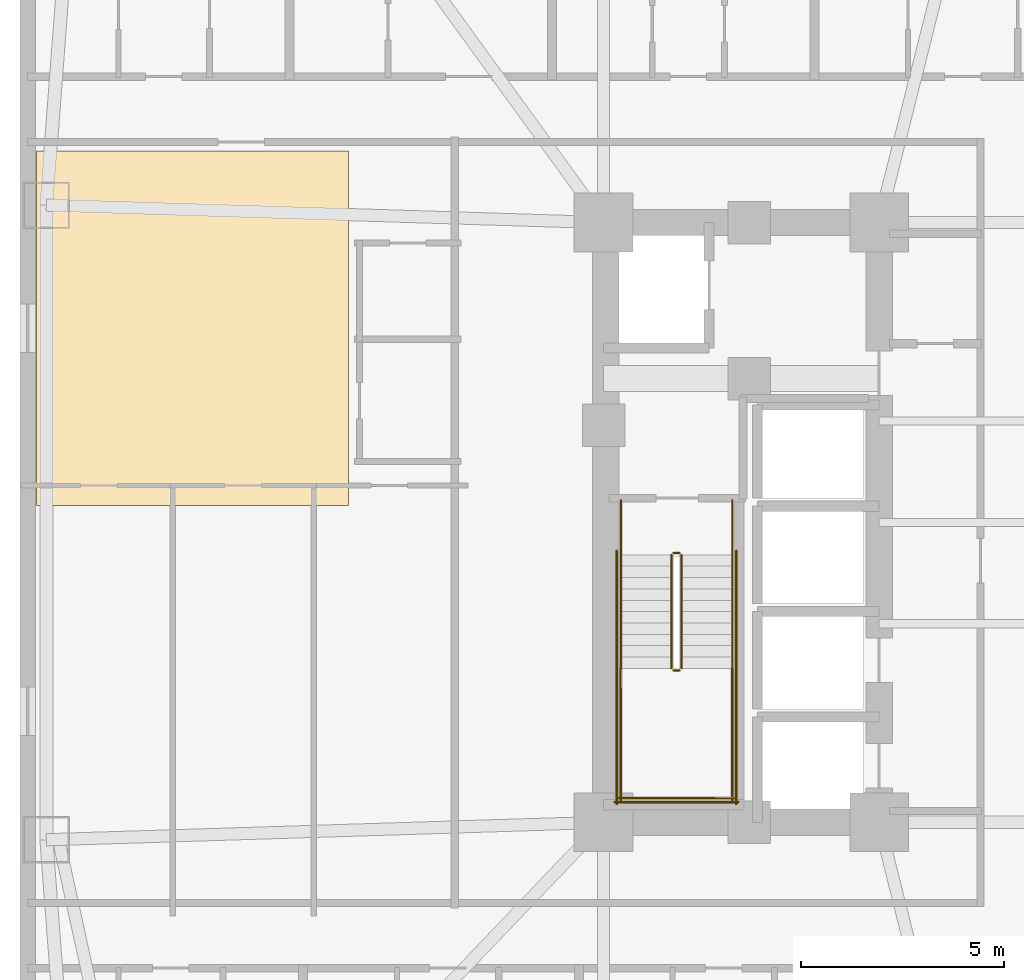
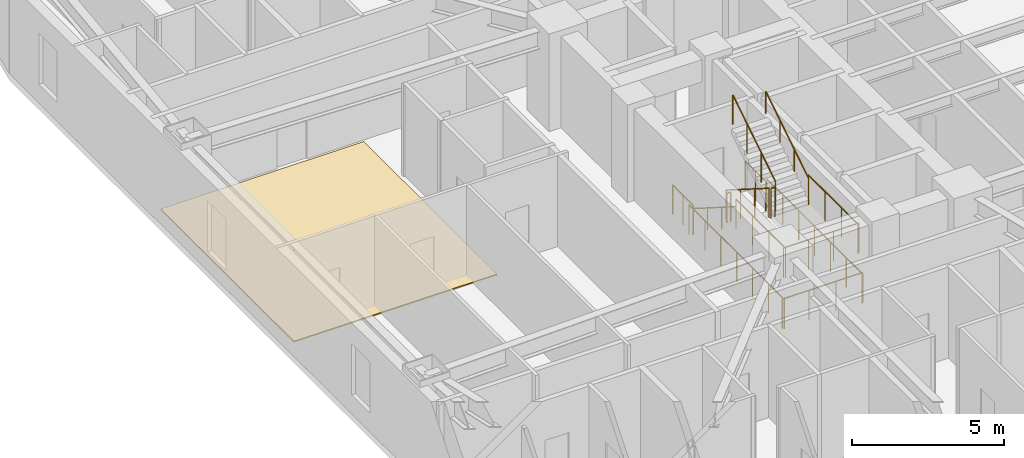
# One storey, part 11 of 12: 14 railings, 1 covering.
"""IFC4 building model written with IfcOpenShell, lengths in metres."""

import ifcopenshell
import ifcopenshell.guid

model = None  # the IFC model being written
_history = None  # IfcOwnerHistory: only IFC2X3 demands one
_inside = {}  # id of a spatial element -> (the spatial element, [elements in it])
_under = {}  # id of a project, library or spatial element -> (it, [spatial elements below it])
_declared = {}  # id of a project -> (the project, [libraries it declares])
_typed = {}  # id of a type object -> (the type object, [elements of that type])
_made_of = {}  # id of a material, layer set ... -> (it, [elements and type objects made of it])


def new_model(schema):
    """Start an empty IFC model of exactly this schema.

    Asked for "IFC4X3", IfcOpenShell would pick the latest addendum, in which some entities
    have other attributes; the version numbers below select the first issue.
    IFC2X3 requires an IfcOwnerHistory on every rooted entity: one is made here for all.
    """
    global model, _history
    if schema == "IFC4X3":
        model = ifcopenshell.file(schema_version=(4, 3, 0, 0))
    else:
        model = ifcopenshell.file(schema=schema)
    _inside.clear()
    _under.clear()
    _declared.clear()
    _typed.clear()
    _made_of.clear()
    _history = None
    if model.schema == "IFC2X3":
        org = make("IfcOrganization", Name="unknown")
        user = make(
            "IfcPersonAndOrganization",
            ThePerson=make("IfcPerson", FamilyName="unknown"),
            TheOrganization=org,
        )
        app = make(
            "IfcApplication",
            ApplicationDeveloper=org,
            Version="unknown",
            ApplicationFullName="unknown",
            ApplicationIdentifier="unknown",
        )
        _history = make(
            "IfcOwnerHistory",
            OwningUser=user,
            OwningApplication=app,
            ChangeAction="ADDED",
            CreationDate=0,
        )
    return model


def make(cls, **values):
    """One entity of the class cls with the attributes given. An attribute that is None is left unset."""
    return model.create_entity(
        cls, **{name: value for name, value in values.items() if value is not None}
    )


def rooted(cls, **values):
    """An entity with a GlobalId (a new one), such as an element, a storey or a relation."""
    return make(cls, GlobalId=ifcopenshell.guid.new(), OwnerHistory=_history, **values)


def si_unit(unit_type, name, prefix=None):
    """IfcSIUnit, for example si_unit("LENGTHUNIT", "METRE", prefix="MILLI")."""
    return make("IfcSIUnit", UnitType=unit_type, Prefix=prefix, Name=name)


def assignment(units):
    """IfcUnitAssignment: the units of a project."""
    return None if units is None else make("IfcUnitAssignment", Units=units)


def point(xyz):
    """IfcCartesianPoint."""
    return None if xyz is None else make("IfcCartesianPoint", Coordinates=xyz)


def direction(xyz):
    """IfcDirection."""
    return None if xyz is None else make("IfcDirection", DirectionRatios=xyz)


def frame(location, z_axis=None, x_axis=None):
    """IfcAxis2Placement3D, a coordinate frame: its origin and axes. An axis left out is left unset."""
    return make(
        "IfcAxis2Placement3D",
        Location=point(location),
        Axis=direction(z_axis),
        RefDirection=direction(x_axis),
    )


def frame_2d(location, x_axis=None):
    """IfcAxis2Placement2D, a coordinate frame in the plane: its origin and x axis."""
    return make(
        "IfcAxis2Placement2D", Location=point(location), RefDirection=direction(x_axis)
    )


def origin():
    """The frame at (0, 0, 0) with its axes left unset."""
    return frame((0.0, 0.0, 0.0))


def origin_2d():
    """The frame at (0, 0) in the plane with its x axis left unset."""
    return frame_2d((0.0, 0.0))


def place(relative_to, where):
    """IfcLocalPlacement: puts the frame where relative to a parent placement (None: the world)."""
    return make(
        "IfcLocalPlacement", PlacementRelTo=relative_to, RelativePlacement=where
    )


def context(
    kind, dimensions, precision=None, world=None, true_north=None, identifier=None
):
    """IfcGeometricRepresentationContext, for example the 3D "Model" context."""
    return make(
        "IfcGeometricRepresentationContext",
        ContextIdentifier=identifier,
        ContextType=kind,
        CoordinateSpaceDimension=dimensions,
        Precision=precision,
        WorldCoordinateSystem=world,
        TrueNorth=true_north,
    )


def subcontext(parent, identifier, kind, view, scale=None):
    """IfcGeometricRepresentationSubContext, for example "Body" below "Model"."""
    return make(
        "IfcGeometricRepresentationSubContext",
        ContextIdentifier=identifier,
        ContextType=kind,
        ParentContext=parent,
        TargetScale=scale,
        TargetView=view,
    )


def project(units=None, contexts=None):
    """IfcProject with its units and contexts."""
    return rooted(
        "IfcProject",
        Name="project",
        RepresentationContexts=contexts,
        UnitsInContext=assignment(units),
    )


def spatial(cls, under=None, at=None, **own):
    """A site, building, storey or space (cls), placed at a placement, below another one or the project."""
    s = rooted(cls, ObjectPlacement=at, **own)
    if under is not None:
        _under.setdefault(under.id(), (under, []))[1].append(s)
    return s


def polyline(points):
    """IfcPolyline through the points."""
    return make("IfcPolyline", Points=[point(p) for p in points])


def profile(cls, at=None, kind="AREA", **sizes):
    """A parametric profile (cls). Its sizes go by their IFC names, for example OverallWidth=200.0."""
    return make(cls, ProfileType=kind, Position=at, **sizes)


def circle(**sizes):
    """IfcCircleProfileDef."""
    return profile("IfcCircleProfileDef", **sizes)


def outline(outer, holes=None, kind="AREA"):
    """IfcArbitraryClosedProfileDef: a profile drawn as a closed curve; with holes, ...WithVoids."""
    if holes is None:
        return make("IfcArbitraryClosedProfileDef", ProfileType=kind, OuterCurve=outer)
    return make(
        "IfcArbitraryProfileDefWithVoids",
        ProfileType=kind,
        OuterCurve=outer,
        InnerCurves=holes,
    )


def extrude(swept, where, along, depth):
    """IfcExtrudedAreaSolid: the profile swept, set in the frame where, extruded along a direction by depth."""
    return make(
        "IfcExtrudedAreaSolid",
        SweptArea=swept,
        Position=where,
        ExtrudedDirection=direction(along),
        Depth=depth,
    )


def shape(context_of_items, identifier, shape_type, items):
    """IfcShapeRepresentation: the items that make up one representation, for example the "Body"."""
    return make(
        "IfcShapeRepresentation",
        ContextOfItems=context_of_items,
        RepresentationIdentifier=identifier,
        RepresentationType=shape_type,
        Items=items,
    )


def material(Name=None, Category=None):
    """IfcMaterial."""
    return make("IfcMaterial", Name=Name, Category=Category)


def layer(
    of_material, thickness, ventilated=None, Name=None, Category=None, Priority=None
):
    """IfcMaterialLayer: one layer of a wall or slab, of a material (None: an air gap)."""
    return make(
        "IfcMaterialLayer",
        Material=of_material,
        LayerThickness=thickness,
        IsVentilated=ventilated,
        Name=Name,
        Category=Category,
        Priority=Priority,
    )


def layer_set(layers, Name=None):
    """IfcMaterialLayerSet."""
    return make("IfcMaterialLayerSet", MaterialLayers=layers, LayerSetName=Name)


def made_of(thing, what):
    """Note that an element or type object is made of a material, layer set ...; save() writes the relation."""
    if what is not None:
        _made_of.setdefault(what.id(), (what, []))[1].append(thing)
    return thing


def type_object(cls, material=None, **own):
    """A type object (cls), such as IfcWallType, which elements share."""
    return made_of(rooted(cls, **own), material)


def element(
    cls,
    number,
    at=None,
    inside=None,
    cuts=None,
    type_object=None,
    material=None,
    context=None,
    identifier="Body",
    shape_type=None,
    held_by="IfcProductDefinitionShape",
    body=None,
    shapes=None,
    **own,
):
    """One element of the class cls, such as IfcWall. Its Tag is "e" and its number.

    at: its placement. inside: the storey or other place that contains it. cuts: it is an
    opening in that element (IfcRelVoidsElement). A single representation is given by context,
    identifier, shape_type and body (its items); several are given by shapes. held_by: the class
    of the entity that holds the representations. save() writes the other relations.
    """
    e = rooted(cls, Tag="e%d" % number, ObjectPlacement=at, **own)
    if body is not None:
        shapes = [shape(context, identifier, shape_type, body)]
    if shapes is not None:
        e.Representation = make(held_by, Representations=shapes)
    if inside is not None:
        _inside.setdefault(inside.id(), (inside, []))[1].append(e)
    if cuts is not None:
        rooted(
            "IfcRelVoidsElement", RelatingBuildingElement=cuts, RelatedOpeningElement=e
        )
    if type_object is not None:
        _typed.setdefault(type_object.id(), (type_object, []))[1].append(e)
    return made_of(e, material)


def aggregate(whole, parts):
    """IfcRelAggregates: a whole, such as a stair, and the parts it consists of."""
    return rooted("IfcRelAggregates", RelatingObject=whole, RelatedObjects=parts)


def save(model, path):
    """Write the relations noted so far, then the file.

    IfcRelAggregates (storeys below a building ...), IfcRelContainedInSpatialStructure (elements
    in a storey), IfcRelDefinesByType, IfcRelAssociatesMaterial and IfcRelDeclares: one each for
    every whole, place, type object, material and project.
    """
    for whole, parts in _under.values():
        aggregate(whole, parts)
    for where, things in _inside.values():
        rooted(
            "IfcRelContainedInSpatialStructure",
            RelatedElements=things,
            RelatingStructure=where,
        )
    for kind, things in _typed.values():
        rooted("IfcRelDefinesByType", RelatedObjects=things, RelatingType=kind)
    for what, things in _made_of.values():
        rooted("IfcRelAssociatesMaterial", RelatedObjects=things, RelatingMaterial=what)
    for by, libraries in _declared.values():
        rooted("IfcRelDeclares", RelatingContext=by, RelatedDefinitions=libraries)
    model.write(path)


model = new_model("IFC4")

# Units and contexts
model_context = context("Model", 3, precision=1e-05, world=origin(), true_north=direction((0.0, 1.0)))
body_context = subcontext(model_context, "Body", "Model", "MODEL_VIEW")
ifc_project = project(units=[si_unit("LENGTHUNIT", "METRE"), si_unit("AREAUNIT", "SQUARE_METRE"), si_unit("VOLUMEUNIT", "CUBIC_METRE"), si_unit("PLANEANGLEUNIT", "RADIAN"), si_unit("MASSUNIT", "GRAM", prefix="KILO")], contexts=[model_context])

# Site, building, storey
site_placement = place(None, origin())
site = spatial("IfcSite", under=ifc_project, at=site_placement, CompositionType="ELEMENT")
building_placement = place(site_placement, origin())
building = spatial("IfcBuilding", under=site, at=building_placement, Name="Voryun Gate Residences", CompositionType="ELEMENT")
storey_placement = place(building_placement, frame((0.0, 0.0, 65.0)))
storey = spatial("IfcBuildingStorey", under=building, at=storey_placement, Name="L15", CompositionType="ELEMENT", Elevation=65.0)

# Covering
ifc_material_1 = material(Name="Architectural oak flooring")
ifc_layer = layer(ifc_material_1, 0.044921875, Name="COV_FLOOR_ONDOL_OAK")
ifc_layer_set = layer_set([ifc_layer], Name="Architectural oak flooring")
covering_type = type_object("IfcCoveringType", Name="COV_FLOOR_ONDOL_OAK", PredefinedType="FLOORING", material=ifc_layer_set)
covering_placement = place(storey_placement, origin())
element("IfcCovering", 1, at=covering_placement, inside=storey, type_object=covering_type, Name="Ondol oak floor FLR-L15-01", PredefinedType="FLOORING", context=body_context, shape_type="SweptSolid", body=[
    extrude(outline(polyline([(-25.5, 9.169921875), (-25.5, 0.419921875), (-33.197509765625, 0.419921875), (-33.197509765625, 9.169921875), (-25.5, 9.169921875)])), origin(), (0.0, 0.0, 1.0), 0.044921875),
])

# Railings
ifc_material_2 = material(Name="Painted steel", Category="steel")
railing_type_1 = type_object("IfcRailingType", Name="RAIL_STAIR_GUARD_1200", PredefinedType="GUARDRAIL", material=ifc_material_2)
railing_1_placement = place(storey_placement, frame((-17.52490234375, -0.800048828125, 0.17724609375)))
element("IfcRailing", 2, at=railing_1_placement, inside=storey, type_object=railing_type_1, Name="L15 ST-W1 stair guard 1", PredefinedType="GUARDRAIL", context=body_context, shape_type="SweptSolid", body=[
    extrude(circle(Radius=0.02392578125, at=origin_2d()), frame((0.0, 0.0, 1.17578125), z_axis=(0.0, -0.844908973607, 0.534910110503), x_axis=(1.0, 0.0, 0.0)), (0.0, 0.0, 1.0), 3.31396484375),
    extrude(circle(Radius=0.02099609375, at=origin_2d()), origin(), (0.0, 0.0, 1.0), 1.15185546875),
    extrude(circle(Radius=0.02099609375, at=origin_2d()), frame((0.0, -0.933349609375, 0.5908203125)), (0.0, 0.0, 1.0), 1.15185546875),
    extrude(circle(Radius=0.02099609375, at=origin_2d()), frame((0.0, -1.86669921875, 1.181884765625)), (0.0, 0.0, 1.0), 1.15185546875),
    extrude(circle(Radius=0.02099609375, at=origin_2d()), frame((0.0, -2.800048828125, 1.772705078125)), (0.0, 0.0, 1.0), 1.15185546875),
])
railing_2_placement = place(storey_placement, frame((-17.47509765625, -3.64990234375, 1.949951171875)))
element("IfcRailing", 3, at=railing_2_placement, inside=storey, type_object=railing_type_1, Name="L15 ST-W1 stair guard 2", PredefinedType="GUARDRAIL", context=body_context, shape_type="SweptSolid", body=[
    extrude(circle(Radius=0.02392578125, at=origin_2d()), frame((0.0, 0.0, 1.17578125), z_axis=(1.0, 0.0, 0.0), x_axis=(0.0, 1.0, 0.0)), (0.0, 0.0, 1.0), 0.150146484375),
    extrude(circle(Radius=0.02099609375, at=origin_2d()), origin(), (0.0, 0.0, 1.0), 1.15185546875),
    extrude(circle(Radius=0.02099609375, at=origin_2d()), frame((0.150146484375, 0.0, 0.0)), (0.0, 0.0, 1.0), 1.15185546875),
])
for number, where, name in (
    (4, (-18.77490234375, -3.60009765625, 1.949951171875), "L15 ST-W1 stair guard 3"),
    (5, (-16.02490234375, -3.60009765625, 1.949951171875), "L15 ST-W1 stair guard 4"),
):
    element("IfcRailing", number, at=place(storey_placement, frame(where)), inside=storey, type_object=railing_type_1, Name=name, PredefinedType="GUARDRAIL", context=body_context, shape_type="SweptSolid", body=[
        extrude(circle(Radius=0.02392578125, at=origin_2d()), frame((0.0, 0.0, 1.17578125), z_axis=(0.0, -1.0, 0.0), x_axis=(1.0, 0.0, 0.0)), (0.0, 0.0, 1.0), 3.25),
        extrude(circle(Radius=0.02099609375, at=origin_2d()), origin(), (0.0, 0.0, 1.0), 1.15185546875),
        extrude(circle(Radius=0.02099609375, at=origin_2d()), frame((0.0, -1.083251953125, 0.0)), (0.0, 0.0, 1.0), 1.15185546875),
        extrude(circle(Radius=0.02099609375, at=origin_2d()), frame((0.0, -2.166748046875, 0.0)), (0.0, 0.0, 1.0), 1.15185546875),
        extrude(circle(Radius=0.02099609375, at=origin_2d()), frame((0.0, -3.25, 0.0)), (0.0, 0.0, 1.0), 1.15185546875),
    ])
railing_3_placement = place(storey_placement, frame((-18.824951171875, -6.800048828125, 1.949951171875)))
element("IfcRailing", 6, at=railing_3_placement, inside=storey, type_object=railing_type_1, Name="L15 ST-W1 stair guard 5", PredefinedType="GUARDRAIL", context=body_context, shape_type="SweptSolid", body=[
    extrude(circle(Radius=0.02392578125, at=origin_2d()), frame((0.0, 0.0, 1.17578125), z_axis=(1.0, 0.0, 0.0), x_axis=(0.0, 1.0, 0.0)), (0.0, 0.0, 1.0), 2.849853515625),
    extrude(circle(Radius=0.02099609375, at=origin_2d()), origin(), (0.0, 0.0, 1.0), 1.15185546875),
    extrude(circle(Radius=0.02099609375, at=origin_2d()), frame((0.949951171875, 0.0, 0.0)), (0.0, 0.0, 1.0), 1.15185546875),
    extrude(circle(Radius=0.02099609375, at=origin_2d()), frame((1.89990234375, 0.0, 0.0)), (0.0, 0.0, 1.0), 1.15185546875),
    extrude(circle(Radius=0.02099609375, at=origin_2d()), frame((2.849853515625, 0.0, 0.0)), (0.0, 0.0, 1.0), 1.15185546875),
])
railing_4_placement = place(storey_placement, frame((-17.27490234375, -3.60009765625, 2.127197265625)))
element("IfcRailing", 7, at=railing_4_placement, inside=storey, type_object=railing_type_1, Name="L15 ST-W1 stair guard 6", PredefinedType="GUARDRAIL", context=body_context, shape_type="SweptSolid", body=[
    extrude(circle(Radius=0.02392578125, at=origin_2d()), frame((0.0, 0.0, 1.17578125), z_axis=(0.0, 0.844908973607, 0.534910110503), x_axis=(-1.0, 0.0, 0.0)), (0.0, 0.0, 1.0), 3.31396484375),
    extrude(circle(Radius=0.02099609375, at=origin_2d()), origin(), (0.0, 0.0, 1.0), 1.15185546875),
    extrude(circle(Radius=0.02099609375, at=origin_2d()), frame((0.0, 0.933349609375, 0.5908203125)), (0.0, 0.0, 1.0), 1.15185546875),
    extrude(circle(Radius=0.02099609375, at=origin_2d()), frame((0.0, 1.86669921875, 1.181884765625)), (0.0, 0.0, 1.0), 1.15185546875),
    extrude(circle(Radius=0.02099609375, at=origin_2d()), frame((0.0, 2.800048828125, 1.772705078125)), (0.0, 0.0, 1.0), 1.15185546875),
])
railing_5_placement = place(storey_placement, frame((-17.47509765625, -0.75, 0.0)))
element("IfcRailing", 8, at=railing_5_placement, inside=storey, type_object=railing_type_1, Name="L15 ST-W1 stair guard 7", PredefinedType="GUARDRAIL", context=body_context, shape_type="SweptSolid", body=[
    extrude(circle(Radius=0.02392578125, at=origin_2d()), frame((0.0, 0.0, 1.17578125), z_axis=(1.0, 0.0, 0.0), x_axis=(0.0, 1.0, 0.0)), (0.0, 0.0, 1.0), 0.150146484375),
    extrude(circle(Radius=0.02099609375, at=origin_2d()), origin(), (0.0, 0.0, 1.0), 1.15185546875),
    extrude(circle(Radius=0.02099609375, at=origin_2d()), frame((0.150146484375, 0.0, 0.0)), (0.0, 0.0, 1.0), 1.15185546875),
])
for number, where, name in (
    (9, (-18.77490234375, 0.550048828125, 0.0), "L15 ST-W1 stair guard 8"),
    (10, (-16.02490234375, 0.550048828125, 0.0), "L15 ST-W1 stair guard 9"),
):
    element("IfcRailing", number, at=place(storey_placement, frame(where)), inside=storey, type_object=railing_type_1, Name=name, PredefinedType="GUARDRAIL", context=body_context, shape_type="SweptSolid", body=[
        extrude(circle(Radius=0.02392578125, at=origin_2d()), frame((0.0, 0.0, 1.17578125), z_axis=(0.0, -1.0, 0.0), x_axis=(1.0, 0.0, 0.0)), (0.0, 0.0, 1.0), 1.35009765625),
        extrude(circle(Radius=0.02099609375, at=origin_2d()), origin(), (0.0, 0.0, 1.0), 1.15185546875),
        extrude(circle(Radius=0.02099609375, at=origin_2d()), frame((0.0, -0.675048828125, 0.0)), (0.0, 0.0, 1.0), 1.15185546875),
        extrude(circle(Radius=0.02099609375, at=origin_2d()), frame((0.0, -1.35009765625, 0.0)), (0.0, 0.0, 1.0), 1.15185546875),
    ])
for number, where, name in (
    (11, (-18.875, -0.699951171875, 0.0), "L15 ST-W1 stair guard 10"),
    (12, (-15.925048828125, -0.699951171875, 0.0), "L15 ST-W1 stair guard 11"),
):
    element("IfcRailing", number, at=place(storey_placement, frame(where)), inside=storey, type_object=railing_type_1, Name=name, PredefinedType="GUARDRAIL", context=body_context, shape_type="SweptSolid", body=[
        extrude(circle(Radius=0.02392578125, at=origin_2d()), frame((0.0, 0.0, 1.17578125), z_axis=(0.0, -1.0, 0.0), x_axis=(1.0, 0.0, 0.0)), (0.0, 0.0, 1.0), 6.25),
        extrude(circle(Radius=0.02099609375, at=origin_2d()), origin(), (0.0, 0.0, 1.0), 1.15185546875),
        extrude(circle(Radius=0.02099609375, at=origin_2d()), frame((0.0, -1.041748046875, 0.0)), (0.0, 0.0, 1.0), 1.15185546875),
        extrude(circle(Radius=0.02099609375, at=origin_2d()), frame((0.0, -2.083251953125, 0.0)), (0.0, 0.0, 1.0), 1.15185546875),
        extrude(circle(Radius=0.02099609375, at=origin_2d()), frame((0.0, -3.125, 0.0)), (0.0, 0.0, 1.0), 1.15185546875),
        extrude(circle(Radius=0.02099609375, at=origin_2d()), frame((0.0, -4.166748046875, 0.0)), (0.0, 0.0, 1.0), 1.15185546875),
        extrude(circle(Radius=0.02099609375, at=origin_2d()), frame((0.0, -5.208251953125, 0.0)), (0.0, 0.0, 1.0), 1.15185546875),
        extrude(circle(Radius=0.02099609375, at=origin_2d()), frame((0.0, -6.25, 0.0)), (0.0, 0.0, 1.0), 1.15185546875),
    ])
railing_6_placement = place(storey_placement, frame((-18.925048828125, -6.89990234375, 0.0)))
element("IfcRailing", 13, at=railing_6_placement, inside=storey, type_object=railing_type_1, Name="L15 ST-W1 stair guard 12", PredefinedType="GUARDRAIL", context=body_context, shape_type="SweptSolid", body=[
    extrude(circle(Radius=0.02392578125, at=origin_2d()), frame((0.0, 0.0, 1.17578125), z_axis=(1.0, 0.0, 0.0), x_axis=(0.0, 1.0, 0.0)), (0.0, 0.0, 1.0), 3.050048828125),
    extrude(circle(Radius=0.02099609375, at=origin_2d()), origin(), (0.0, 0.0, 1.0), 1.15185546875),
    extrude(circle(Radius=0.02099609375, at=origin_2d()), frame((1.0166015625, 0.0, 0.0)), (0.0, 0.0, 1.0), 1.15185546875),
    extrude(circle(Radius=0.02099609375, at=origin_2d()), frame((2.033447265625, 0.0, 0.0)), (0.0, 0.0, 1.0), 1.15185546875),
    extrude(circle(Radius=0.02099609375, at=origin_2d()), frame((3.050048828125, 0.0, 0.0)), (0.0, 0.0, 1.0), 1.15185546875),
])
ifc_material_3 = material(Name="Painted steel", Category="steel")
railing_type_2 = type_object("IfcRailingType", Name="RAIL_STAIR_HANDRAIL_900", PredefinedType="HANDRAIL", material=ifc_material_3)
railing_7_placement = place(storey_placement, frame((-18.77490234375, -0.800048828125, 0.17724609375)))
element("IfcRailing", 14, at=railing_7_placement, inside=storey, type_object=railing_type_2, Name="L15 ST-W1 stair handrail 1", PredefinedType="HANDRAIL", context=body_context, shape_type="SweptSolid", body=[
    extrude(circle(Radius=0.02392578125, at=origin_2d()), frame((0.0, 0.0, 0.8759765625), z_axis=(0.0, -0.844908973607, 0.534910110503), x_axis=(1.0, 0.0, 0.0)), (0.0, 0.0, 1.0), 3.31396484375),
    extrude(circle(Radius=0.02099609375, at=origin_2d()), origin(), (0.0, 0.0, 1.0), 0.851806640625),
    extrude(circle(Radius=0.02099609375, at=origin_2d()), frame((0.0, -0.933349609375, 0.5908203125)), (0.0, 0.0, 1.0), 0.851806640625),
    extrude(circle(Radius=0.02099609375, at=origin_2d()), frame((0.0, -1.86669921875, 1.181884765625)), (0.0, 0.0, 1.0), 0.851806640625),
    extrude(circle(Radius=0.02099609375, at=origin_2d()), frame((0.0, -2.800048828125, 1.772705078125)), (0.0, 0.0, 1.0), 0.851806640625),
])
railing_8_placement = place(storey_placement, frame((-16.02490234375, -3.60009765625, 2.127197265625)))
element("IfcRailing", 15, at=railing_8_placement, inside=storey, type_object=railing_type_2, Name="L15 ST-W1 stair handrail 2", PredefinedType="HANDRAIL", context=body_context, shape_type="SweptSolid", body=[
    extrude(circle(Radius=0.02392578125, at=origin_2d()), frame((0.0, 0.0, 0.8759765625), z_axis=(0.0, 0.844908973607, 0.534910110503), x_axis=(-1.0, 0.0, 0.0)), (0.0, 0.0, 1.0), 3.31396484375),
    extrude(circle(Radius=0.02099609375, at=origin_2d()), origin(), (0.0, 0.0, 1.0), 0.851806640625),
    extrude(circle(Radius=0.02099609375, at=origin_2d()), frame((0.0, 0.933349609375, 0.5908203125)), (0.0, 0.0, 1.0), 0.851806640625),
    extrude(circle(Radius=0.02099609375, at=origin_2d()), frame((0.0, 1.86669921875, 1.181884765625)), (0.0, 0.0, 1.0), 0.851806640625),
    extrude(circle(Radius=0.02099609375, at=origin_2d()), frame((0.0, 2.800048828125, 1.772705078125)), (0.0, 0.0, 1.0), 0.851806640625),
])

save(model, "model.ifc")
